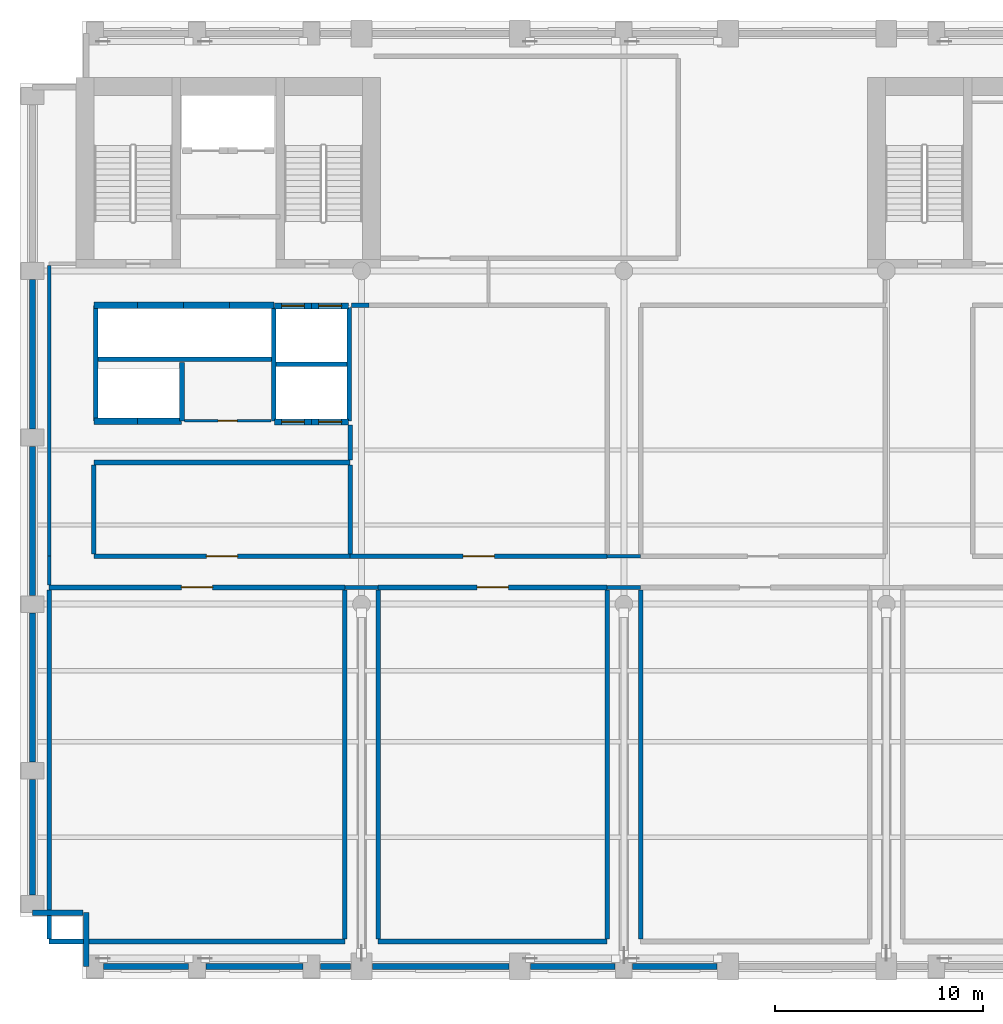
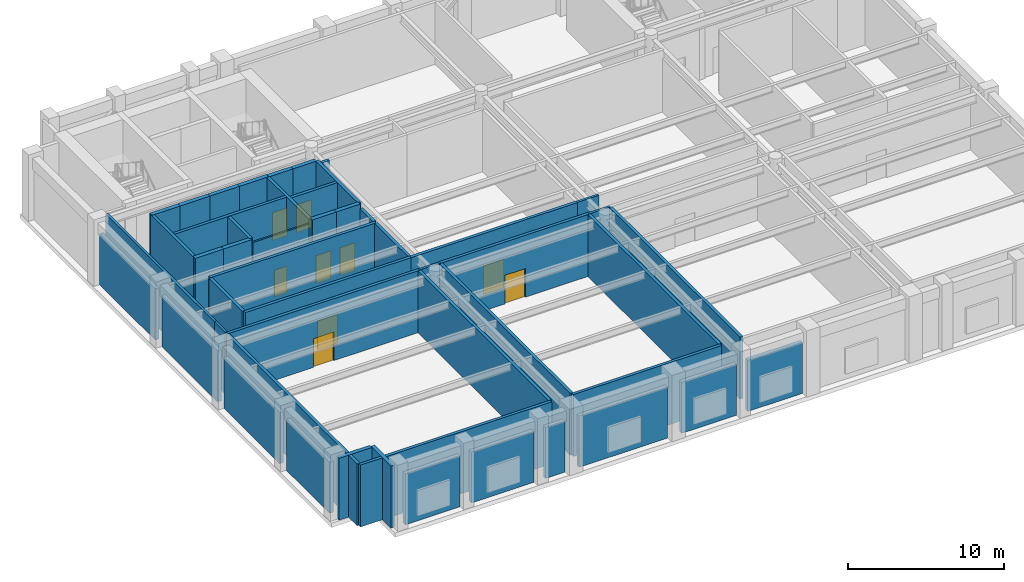
# One storey, part 5 of 11: 50 walls, 9 doors, 9 openings.
"""IFC4 building model written with IfcOpenShell, lengths in metres."""

from ifc_helpers import new_model, si_unit, direction, frame, frame_2d, origin, place, context, subcontext, project, spatial, rectangle, extrude, material, layer, layer_set, type_object, element, fill, save


model = new_model("IFC4")

# Units and contexts
model_context = context("Model", 3, precision=1e-05, world=origin(), true_north=direction((0.0, 1.0)))
body_context = subcontext(model_context, "Body", "Model", "MODEL_VIEW")
ifc_project = project(units=[si_unit("LENGTHUNIT", "METRE"), si_unit("AREAUNIT", "SQUARE_METRE"), si_unit("VOLUMEUNIT", "CUBIC_METRE"), si_unit("PLANEANGLEUNIT", "RADIAN"), si_unit("MASSUNIT", "GRAM", prefix="KILO")], contexts=[model_context])

# Site, building, storey
site_placement = place(None, origin())
site = spatial("IfcSite", under=ifc_project, at=site_placement, CompositionType="ELEMENT")
building_placement = place(site_placement, origin())
building = spatial("IfcBuilding", under=site, at=building_placement, Name="Sulina Concourse Tower", CompositionType="ELEMENT")
storey_placement = place(building_placement, frame((0.0, 0.0, 160.60009765625)))
storey = spatial("IfcBuildingStorey", under=building, at=storey_placement, Name="L39", CompositionType="ELEMENT", Elevation=160.60009765625)

# Walls
ifc_material_1 = material(Name="Concrete C50/60", Category="concrete")
ifc_layer_1 = layer(ifc_material_1, 0.219970703125)
ifc_layer_set_1 = layer_set([ifc_layer_1], Name="Concrete C50/60")
wall_type_1 = type_object("IfcWallType", Name="Core Lift Hoistway Divider Wall 220mm", PredefinedType="SOLIDWALL", material=ifc_layer_set_1)
wall_1_placement = place(storey_placement, frame((3.550048828125, 29.75, 0.0), z_axis=(0.0, 0.0, 1.0), x_axis=(1.0, 0.0, 0.0)))
element("IfcWall", 1, at=wall_1_placement, inside=storey, type_object=wall_type_1, Name="L39 shaft divider wall HW-LP3-S", PredefinedType="SOLIDWALL", context=body_context, shape_type="SweptSolid", body=[
    extrude(rectangle(XDim=8.64990234375, YDim=0.219970703125, at=frame_2d((4.324951171875, 0.0))), origin(), (0.0, 0.0, 1.0), 5.199951171875),
])
wall_2_placement = place(storey_placement, frame((3.6298828125, 26.800048828125, 0.0), z_axis=(0.0, 0.0, 1.0), x_axis=(0.0, 1.0, 0.0)))
element("IfcWall", 2, at=wall_2_placement, inside=storey, type_object=wall_type_1, Name="L39 shaft divider wall HW-LP3-W", PredefinedType="SOLIDWALL", context=body_context, shape_type="SweptSolid", body=[
    extrude(rectangle(XDim=5.550048828125, YDim=0.219970703125, at=frame_2d((2.77490234375, 0.0))), origin(), (0.0, 0.0, 1.0), 5.199951171875),
])
wall_3_placement = place(storey_placement, frame((7.780029296875, 26.800048828125, 0.0), z_axis=(0.0, 0.0, 1.0), x_axis=(0.0, 1.0, 0.0)))
element("IfcWall", 3, at=wall_3_placement, inside=storey, type_object=wall_type_1, Name="L39 shaft divider wall HW-EXP-E", PredefinedType="SOLIDWALL", context=body_context, shape_type="SweptSolid", body=[
    extrude(rectangle(XDim=2.800048828125, YDim=0.219970703125, at=frame_2d((1.39990234375, 0.0))), origin(), (0.0, 0.0, 1.0), 5.199951171875),
])
for number, where, z_axis, x_axis, name in (
    (4, (12.179931640625, 26.800048828125, 0.0), (0.0, 0.0, 1.0), (0.0, 1.0, 0.0), "L39 shaft divider wall HW-LP2-W"),
    (5, (15.820068359375, 26.800048828125, 0.0), (0.0, 0.0, 1.0), (0.0, 1.0, 0.0), "L39 shaft divider wall HW-LP2-E"),
):
    element("IfcWall", number, at=place(storey_placement, frame(where, z_axis=z_axis, x_axis=x_axis)), inside=storey, type_object=wall_type_1, Name=name, PredefinedType="SOLIDWALL", context=body_context, shape_type="SweptSolid", body=[
        extrude(rectangle(XDim=5.449951171875, YDim=0.219970703125, at=frame_2d((2.72509765625, 0.0))), origin(), (0.0, 0.0, 1.0), 5.199951171875),
    ])
wall_4_placement = place(storey_placement, frame((12.300048828125, 29.52001953125, 0.0), z_axis=(0.0, 0.0, 1.0), x_axis=(1.0, 0.0, 0.0)))
element("IfcWall", 6, at=wall_4_placement, inside=storey, type_object=wall_type_1, Name="L39 shaft divider wall HW-LP2-M", PredefinedType="SOLIDWALL", context=body_context, shape_type="SweptSolid", body=[
    extrude(rectangle(XDim=3.39990234375, YDim=0.219970703125, at=frame_2d((1.699951171875, 0.0))), origin(), (0.0, 0.0, 1.0), 5.199951171875),
])

# Wall, opening, door
ifc_material_2 = material(Name="Concrete C50/60", Category="concrete")
ifc_layer_2 = layer(ifc_material_2, 0.300048828125)
ifc_layer_set_2 = layer_set([ifc_layer_2], Name="Concrete C50/60")
wall_type_2 = type_object("IfcWallType", Name="Core Lift Hoistway Wall 300mm", PredefinedType="SOLIDWALL", material=ifc_layer_set_2)
wall_5_placement = place(storey_placement, frame((14.0, 26.75, 0.0), z_axis=(0.0, 0.0, 1.0), x_axis=(-1.0, 0.0, 0.0)))
wall_5 = element("IfcWall", 7, at=wall_5_placement, inside=storey, type_object=wall_type_2, Name="L39 hoistway enclosure wall LP-05", PredefinedType="SOLIDWALL", context=body_context, shape_type="SweptSolid", body=[
    extrude(rectangle(XDim=1.780029296875, YDim=0.300048828125, at=frame_2d((0.89013671875, 0.0))), origin(), (0.0, 0.0, 1.0), 5.199951171875),
])
opening_1_placement = place(wall_5_placement, frame((0.340087890625, 0.0, 0.0)))
opening_1 = element("IfcOpeningElement", 8, at=opening_1_placement, cuts=wall_5, Name="Opening LD-01", PredefinedType="OPENING", context=body_context, shape_type="SweptSolid", body=[
    extrude(rectangle(XDim=1.10009765625, YDim=2.199951171875, at=frame_2d((0.550048828125, 1.10009765625))), frame((0.0, 0.159912109375, 0.0), z_axis=(0.0, -1.0, 0.0), x_axis=(1.0, 0.0, 0.0)), (0.0, 0.0, 1.0), 0.320068359375),
])
ifc_material_3 = material(Name="Stainless steel lift landing door", Category="steel")
ifc_layer_3 = layer(ifc_material_3, 0.050048828125)
ifc_layer_set_3 = layer_set([ifc_layer_3], Name="Stainless steel lift landing door")
door_type_1 = type_object("IfcDoorType", Name="Passenger Lift Sliding Landing Door 1100x2200", OperationType="SLIDING_TO_LEFT", PredefinedType="DOOR", material=ifc_layer_set_3)
door_1_placement = place(opening_1_placement, origin())
door_1 = element("IfcDoor", 9, at=door_1_placement, inside=storey, type_object=door_type_1, Name="L39 lift landing sliding door LP-05", OperationType="SLIDING_TO_LEFT", OverallHeight=2.199951171875, OverallWidth=1.10009765625, PredefinedType="DOOR", context=body_context, shape_type="SweptSolid", body=[
    extrude(rectangle(XDim=1.10009765625, YDim=2.199951171875, at=frame_2d((0.550048828125, 1.10009765625))), frame((0.0, 0.02490234375, 0.0), z_axis=(0.0, -1.0, 0.0), x_axis=(1.0, 0.0, 0.0)), (0.0, 0.0, 1.0), 0.050048828125),
])
fill(opening_1, door_1)

wall_6_placement = place(storey_placement, frame((15.780029296875, 26.75, 0.0), z_axis=(0.0, 0.0, 1.0), x_axis=(-1.0, 0.0, 0.0)))
wall_6 = element("IfcWall", 10, at=wall_6_placement, inside=storey, type_object=wall_type_2, Name="L39 hoistway enclosure wall LP-06", PredefinedType="SOLIDWALL", context=body_context, shape_type="SweptSolid", body=[
    extrude(rectangle(XDim=1.780029296875, YDim=0.300048828125, at=frame_2d((0.89013671875, 0.0))), origin(), (0.0, 0.0, 1.0), 5.199951171875),
])
opening_2_placement = place(wall_6_placement, frame((0.340087890625, 0.0, 0.0)))
opening_2 = element("IfcOpeningElement", 11, at=opening_2_placement, cuts=wall_6, Name="Opening LD-01", PredefinedType="OPENING", context=body_context, shape_type="SweptSolid", body=[
    extrude(rectangle(XDim=1.10009765625, YDim=2.199951171875, at=frame_2d((0.550048828125, 1.10009765625))), frame((0.0, 0.159912109375, 0.0), z_axis=(0.0, -1.0, 0.0), x_axis=(1.0, 0.0, 0.0)), (0.0, 0.0, 1.0), 0.320068359375),
])
door_2_placement = place(opening_2_placement, origin())
door_2 = element("IfcDoor", 12, at=door_2_placement, inside=storey, type_object=door_type_1, Name="L39 lift landing sliding door LP-06", OperationType="SLIDING_TO_RIGHT", OverallHeight=2.199951171875, OverallWidth=1.10009765625, PredefinedType="DOOR", context=body_context, shape_type="SweptSolid", body=[
    extrude(rectangle(XDim=1.10009765625, YDim=2.199951171875, at=frame_2d((0.550048828125, 1.10009765625))), frame((0.0, 0.02490234375, 0.0), z_axis=(0.0, -1.0, 0.0), x_axis=(1.0, 0.0, 0.0)), (0.0, 0.0, 1.0), 0.050048828125),
])
fill(opening_2, door_2)

wall_7_placement = place(storey_placement, frame((12.219970703125, 32.320068359375, 0.0), z_axis=(0.0, 0.0, 1.0), x_axis=(1.0, 0.0, 0.0)))
wall_7 = element("IfcWall", 13, at=wall_7_placement, inside=storey, type_object=wall_type_2, Name="L39 hoistway enclosure wall LP-07", PredefinedType="SOLIDWALL", context=body_context, shape_type="SweptSolid", body=[
    extrude(rectangle(XDim=1.780029296875, YDim=0.300048828125, at=frame_2d((0.89013671875, 0.0))), origin(), (0.0, 0.0, 1.0), 5.199951171875),
])
opening_3_placement = place(wall_7_placement, frame((0.340087890625, 0.0, 0.0)))
opening_3 = element("IfcOpeningElement", 14, at=opening_3_placement, cuts=wall_7, Name="Opening LD-01", PredefinedType="OPENING", context=body_context, shape_type="SweptSolid", body=[
    extrude(rectangle(XDim=1.10009765625, YDim=2.199951171875, at=frame_2d((0.550048828125, 1.10009765625))), frame((0.0, 0.159912109375, 0.0), z_axis=(0.0, -1.0, 0.0), x_axis=(1.0, 0.0, 0.0)), (0.0, 0.0, 1.0), 0.320068359375),
])
door_3_placement = place(opening_3_placement, origin())
door_3 = element("IfcDoor", 15, at=door_3_placement, inside=storey, type_object=door_type_1, Name="L39 lift landing sliding door LP-07", OperationType="SLIDING_TO_LEFT", OverallHeight=2.199951171875, OverallWidth=1.10009765625, PredefinedType="DOOR", context=body_context, shape_type="SweptSolid", body=[
    extrude(rectangle(XDim=1.10009765625, YDim=2.199951171875, at=frame_2d((0.550048828125, 1.10009765625))), frame((0.0, 0.02490234375, 0.0), z_axis=(0.0, -1.0, 0.0), x_axis=(1.0, 0.0, 0.0)), (0.0, 0.0, 1.0), 0.050048828125),
])
fill(opening_3, door_3)

wall_8_placement = place(storey_placement, frame((14.0, 32.320068359375, 0.0), z_axis=(0.0, 0.0, 1.0), x_axis=(1.0, 0.0, 0.0)))
wall_8 = element("IfcWall", 16, at=wall_8_placement, inside=storey, type_object=wall_type_2, Name="L39 hoistway enclosure wall LP-08", PredefinedType="SOLIDWALL", context=body_context, shape_type="SweptSolid", body=[
    extrude(rectangle(XDim=1.780029296875, YDim=0.300048828125, at=frame_2d((0.89013671875, 0.0))), origin(), (0.0, 0.0, 1.0), 5.199951171875),
])
opening_4_placement = place(wall_8_placement, frame((0.340087890625, 0.0, 0.0)))
opening_4 = element("IfcOpeningElement", 17, at=opening_4_placement, cuts=wall_8, Name="Opening LD-01", PredefinedType="OPENING", context=body_context, shape_type="SweptSolid", body=[
    extrude(rectangle(XDim=1.10009765625, YDim=2.199951171875, at=frame_2d((0.550048828125, 1.10009765625))), frame((0.0, 0.159912109375, 0.0), z_axis=(0.0, -1.0, 0.0), x_axis=(1.0, 0.0, 0.0)), (0.0, 0.0, 1.0), 0.320068359375),
])
door_4_placement = place(opening_4_placement, origin())
door_4 = element("IfcDoor", 18, at=door_4_placement, inside=storey, type_object=door_type_1, Name="L39 lift landing sliding door LP-08", OperationType="SLIDING_TO_RIGHT", OverallHeight=2.199951171875, OverallWidth=1.10009765625, PredefinedType="DOOR", context=body_context, shape_type="SweptSolid", body=[
    extrude(rectangle(XDim=1.10009765625, YDim=2.199951171875, at=frame_2d((0.550048828125, 1.10009765625))), frame((0.0, 0.02490234375, 0.0), z_axis=(0.0, -1.0, 0.0), x_axis=(1.0, 0.0, 0.0)), (0.0, 0.0, 1.0), 0.050048828125),
])
fill(opening_4, door_4)

# Walls
wall_9_placement = place(storey_placement, frame((3.550048828125, 32.35009765625, 0.0), z_axis=(0.0, 0.0, 1.0), x_axis=(1.0, 0.0, 0.0)))
element("IfcWall", 19, at=wall_9_placement, inside=storey, type_object=wall_type_2, Name="L39 hoistway enclosure wall LP-09", PredefinedType="SOLIDWALL", context=body_context, shape_type="SweptSolid", body=[
    extrude(rectangle(XDim=2.099853515625, YDim=0.300048828125, at=frame_2d((1.0498046875, 0.0))), origin(), (0.0, 0.0, 1.0), 5.199951171875),
])
wall_10_placement = place(storey_placement, frame((5.64990234375, 32.35009765625, 0.0), z_axis=(0.0, 0.0, 1.0), x_axis=(1.0, 0.0, 0.0)))
element("IfcWall", 20, at=wall_10_placement, inside=storey, type_object=wall_type_2, Name="L39 hoistway enclosure wall LP-10", PredefinedType="SOLIDWALL", context=body_context, shape_type="SweptSolid", body=[
    extrude(rectangle(XDim=2.2001953125, YDim=0.300048828125, at=frame_2d((1.10009765625, 0.0))), origin(), (0.0, 0.0, 1.0), 5.199951171875),
])
wall_11_placement = place(storey_placement, frame((7.85009765625, 32.35009765625, 0.0), z_axis=(0.0, 0.0, 1.0), x_axis=(1.0, 0.0, 0.0)))
element("IfcWall", 21, at=wall_11_placement, inside=storey, type_object=wall_type_2, Name="L39 hoistway enclosure wall LP-11", PredefinedType="SOLIDWALL", context=body_context, shape_type="SweptSolid", body=[
    extrude(rectangle(XDim=2.199951171875, YDim=0.300048828125, at=frame_2d((1.10009765625, 0.0))), origin(), (0.0, 0.0, 1.0), 5.199951171875),
])
wall_12_placement = place(storey_placement, frame((10.050048828125, 32.35009765625, 0.0), z_axis=(0.0, 0.0, 1.0), x_axis=(1.0, 0.0, 0.0)))
element("IfcWall", 22, at=wall_12_placement, inside=storey, type_object=wall_type_2, Name="L39 hoistway enclosure wall LP-12", PredefinedType="SOLIDWALL", context=body_context, shape_type="SweptSolid", body=[
    extrude(rectangle(XDim=2.14990234375, YDim=0.300048828125, at=frame_2d((1.074951171875, 0.0))), origin(), (0.0, 0.0, 1.0), 5.199951171875),
])
wall_13_placement = place(storey_placement, frame((5.64990234375, 26.780029296875, 0.0), z_axis=(0.0, 0.0, 1.0), x_axis=(-1.0, 0.0, 0.0)))
element("IfcWall", 23, at=wall_13_placement, inside=storey, type_object=wall_type_2, Name="L39 hoistway enclosure wall EXP-1", PredefinedType="SOLIDWALL", context=body_context, shape_type="SweptSolid", body=[
    extrude(rectangle(XDim=2.099853515625, YDim=0.300048828125, at=frame_2d((1.0498046875, 0.0))), origin(), (0.0, 0.0, 1.0), 5.199951171875),
])
wall_14_placement = place(storey_placement, frame((7.75, 26.780029296875, 0.0), z_axis=(0.0, 0.0, 1.0), x_axis=(-1.0, 0.0, 0.0)))
element("IfcWall", 24, at=wall_14_placement, inside=storey, type_object=wall_type_2, Name="L39 hoistway enclosure wall EXP-2", PredefinedType="SOLIDWALL", context=body_context, shape_type="SweptSolid", body=[
    extrude(rectangle(XDim=2.10009765625, YDim=0.300048828125, at=frame_2d((1.050048828125, 0.0))), origin(), (0.0, 0.0, 1.0), 5.199951171875),
])
ifc_material_4 = material(Name="Gypsum board on steel stud", Category="steel")
ifc_layer_4 = layer(ifc_material_4, 0.219970703125)
ifc_layer_set_4 = layer_set([ifc_layer_4], Name="Gypsum board on steel stud")
wall_type_3 = type_object("IfcWallType", Name="Fire-Rated Lobby & Compartment Wall 220mm", PredefinedType="PARTITIONING", material=ifc_layer_set_4)
wall_15_placement = place(storey_placement, frame((1.39990234375, 1.800048828125, 0.0), z_axis=(0.0, 0.0, 1.0), x_axis=(1.0, 0.0, 0.0)))
element("IfcWall", 25, at=wall_15_placement, inside=storey, type_object=wall_type_3, Name="L39 interior partition 001", PredefinedType="PARTITIONING", context=body_context, shape_type="SweptSolid", body=[
    extrude(rectangle(XDim=14.2001953125, YDim=0.219970703125, at=frame_2d((7.10009765625, 0.0))), origin(), (0.0, 0.0, 1.0), 4.85986328125),
])
wall_16_placement = place(storey_placement, frame((17.199951171875, 1.800048828125, 0.0), z_axis=(0.0, 0.0, 1.0), x_axis=(1.0, 0.0, 0.0)))
element("IfcWall", 26, at=wall_16_placement, inside=storey, type_object=wall_type_3, Name="L39 interior partition 002", PredefinedType="PARTITIONING", context=body_context, shape_type="SweptSolid", body=[
    extrude(rectangle(XDim=11.0, YDim=0.219970703125, at=frame_2d((5.5, 0.0))), origin(), (0.0, 0.0, 1.0), 4.85986328125),
])

# Wall, opening, door
wall_17_placement = place(storey_placement, frame((1.39990234375, 18.800048828125, 0.0), z_axis=(0.0, 0.0, 1.0), x_axis=(1.0, 0.0, 0.0)))
wall_17 = element("IfcWall", 27, at=wall_17_placement, inside=storey, type_object=wall_type_3, Name="L39 interior partition 005", PredefinedType="PARTITIONING", context=body_context, shape_type="SweptSolid", body=[
    extrude(rectangle(XDim=14.2001953125, YDim=0.219970703125, at=frame_2d((7.10009765625, 0.0))), origin(), (0.0, 0.0, 1.0), 4.85986328125),
])
opening_5_placement = place(wall_17_placement, frame((6.35009765625, 0.0, 0.0)))
opening_5 = element("IfcOpeningElement", 28, at=opening_5_placement, cuts=wall_17, Name="Opening DR-80", PredefinedType="OPENING", context=body_context, shape_type="SweptSolid", body=[
    extrude(rectangle(XDim=1.5, YDim=2.25, at=frame_2d((0.75, 1.125))), frame((0.0, 0.119873046875, 0.0), z_axis=(0.0, -1.0, 0.0), x_axis=(1.0, 0.0, 0.0)), (0.0, 0.0, 1.0), 0.239990234375),
])
ifc_material_5 = material(Name="Galvanised steel acoustic fire leaf", Category="steel")
ifc_layer_5 = layer(ifc_material_5, 0.054931640625)
ifc_layer_set_5 = layer_set([ifc_layer_5], Name="Galvanised steel acoustic fire leaf")
door_type_2 = type_object("IfcDoorType", Name="Mechanical Plant Double Fire Door 1500x2250", OperationType="DOUBLE_DOOR_SINGLE_SWING", PredefinedType="DOOR", material=ifc_layer_set_5)
door_5_placement = place(opening_5_placement, origin())
door_5 = element("IfcDoor", 29, at=door_5_placement, inside=storey, type_object=door_type_2, Name="L39 interior door L39-CHILLER", OperationType="DOUBLE_DOOR_SINGLE_SWING", OverallHeight=2.25, OverallWidth=1.5, PredefinedType="DOOR", context=body_context, shape_type="SweptSolid", body=[
    extrude(rectangle(XDim=1.5, YDim=2.25, at=frame_2d((0.75, 1.125))), frame((0.0, 0.02490234375, 0.0), z_axis=(0.0, -1.0, 0.0), x_axis=(1.0, 0.0, 0.0)), (0.0, 0.0, 1.0), 0.050048828125),
])
fill(opening_5, door_5)

wall_18_placement = place(storey_placement, frame((17.199951171875, 18.800048828125, 0.0), z_axis=(0.0, 0.0, 1.0), x_axis=(1.0, 0.0, 0.0)))
wall_18 = element("IfcWall", 30, at=wall_18_placement, inside=storey, type_object=wall_type_3, Name="L39 interior partition 007", PredefinedType="PARTITIONING", context=body_context, shape_type="SweptSolid", body=[
    extrude(rectangle(XDim=11.0, YDim=0.219970703125, at=frame_2d((5.5, 0.0))), origin(), (0.0, 0.0, 1.0), 4.85986328125),
])
opening_6_placement = place(wall_18_placement, frame((4.75, 0.0, 0.0)))
opening_6 = element("IfcOpeningElement", 31, at=opening_6_placement, cuts=wall_18, Name="Opening DR-80", PredefinedType="OPENING", context=body_context, shape_type="SweptSolid", body=[
    extrude(rectangle(XDim=1.5, YDim=2.25, at=frame_2d((0.75, 1.125))), frame((0.0, 0.119873046875, 0.0), z_axis=(0.0, -1.0, 0.0), x_axis=(1.0, 0.0, 0.0)), (0.0, 0.0, 1.0), 0.239990234375),
])
door_6_placement = place(opening_6_placement, origin())
door_6 = element("IfcDoor", 32, at=door_6_placement, inside=storey, type_object=door_type_2, Name="L39 interior door L39-BLR-RM", OperationType="DOUBLE_DOOR_SINGLE_SWING", OverallHeight=2.25, OverallWidth=1.5, PredefinedType="DOOR", context=body_context, shape_type="SweptSolid", body=[
    extrude(rectangle(XDim=1.5, YDim=2.25, at=frame_2d((0.75, 1.125))), frame((0.0, 0.02490234375, 0.0), z_axis=(0.0, -1.0, 0.0), x_axis=(1.0, 0.0, 0.0)), (0.0, 0.0, 1.0), 0.050048828125),
])
fill(opening_6, door_6)

wall_19_placement = place(storey_placement, frame((3.550048828125, 20.300048828125, 0.0), z_axis=(0.0, 0.0, 1.0), x_axis=(1.0, 0.0, 0.0)))
wall_19 = element("IfcWall", 33, at=wall_19_placement, inside=storey, type_object=wall_type_3, Name="L39 interior partition 012", PredefinedType="PARTITIONING", context=body_context, shape_type="SweptSolid", body=[
    extrude(rectangle(XDim=12.300048828125, YDim=0.219970703125, at=frame_2d((6.14990234375, 0.0))), origin(), (0.0, 0.0, 1.0), 4.85986328125),
])
opening_7_placement = place(wall_19_placement, frame((5.39990234375, 0.0, 0.0)))
opening_7 = element("IfcOpeningElement", 34, at=opening_7_placement, cuts=wall_19, Name="Opening DR-80", PredefinedType="OPENING", context=body_context, shape_type="SweptSolid", body=[
    extrude(rectangle(XDim=1.5, YDim=2.25, at=frame_2d((0.75, 1.125))), frame((0.0, 0.119873046875, 0.0), z_axis=(0.0, -1.0, 0.0), x_axis=(1.0, 0.0, 0.0)), (0.0, 0.0, 1.0), 0.239990234375),
])
door_7_placement = place(opening_7_placement, origin())
door_7 = element("IfcDoor", 35, at=door_7_placement, inside=storey, type_object=door_type_2, Name="L39 interior door L39-PL-W1", OperationType="DOUBLE_DOOR_SINGLE_SWING", OverallHeight=2.25, OverallWidth=1.5, PredefinedType="DOOR", context=body_context, shape_type="SweptSolid", body=[
    extrude(rectangle(XDim=1.5, YDim=2.25, at=frame_2d((0.75, 1.125))), frame((0.0, 0.02490234375, 0.0), z_axis=(0.0, -1.0, 0.0), x_axis=(1.0, 0.0, 0.0)), (0.0, 0.0, 1.0), 0.050048828125),
])
fill(opening_7, door_7)

wall_20_placement = place(storey_placement, frame((15.85009765625, 20.300048828125, 0.0), z_axis=(0.0, 0.0, 1.0), x_axis=(1.0, 0.0, 0.0)))
wall_20 = element("IfcWall", 36, at=wall_20_placement, inside=storey, type_object=wall_type_3, Name="L39 interior partition 013", PredefinedType="PARTITIONING", context=body_context, shape_type="SweptSolid", body=[
    extrude(rectangle(XDim=12.349853515625, YDim=0.219970703125, at=frame_2d((6.1748046875, 0.0))), origin(), (0.0, 0.0, 1.0), 4.85986328125),
])
opening_8_placement = place(wall_20_placement, frame((5.425048828125, 0.0, 0.0)))
opening_8 = element("IfcOpeningElement", 37, at=opening_8_placement, cuts=wall_20, Name="Opening DR-80", PredefinedType="OPENING", context=body_context, shape_type="SweptSolid", body=[
    extrude(rectangle(XDim=1.5, YDim=2.25, at=frame_2d((0.75, 1.125))), frame((0.0, 0.119873046875, 0.0), z_axis=(0.0, -1.0, 0.0), x_axis=(1.0, 0.0, 0.0)), (0.0, 0.0, 1.0), 0.239990234375),
])
door_8_placement = place(opening_8_placement, origin())
door_8 = element("IfcDoor", 38, at=door_8_placement, inside=storey, type_object=door_type_2, Name="L39 interior door L39-SWG-RM1", OperationType="DOUBLE_DOOR_SINGLE_SWING", OverallHeight=2.25, OverallWidth=1.5, PredefinedType="DOOR", context=body_context, shape_type="SweptSolid", body=[
    extrude(rectangle(XDim=1.5, YDim=2.25, at=frame_2d((0.75, 1.125))), frame((0.0, 0.02490234375, 0.0), z_axis=(0.0, -1.0, 0.0), x_axis=(1.0, 0.0, 0.0)), (0.0, 0.0, 1.0), 0.050048828125),
])
fill(opening_8, door_8)

# Walls
wall_21_placement = place(storey_placement, frame((3.550048828125, 24.800048828125, 0.0), z_axis=(0.0, 0.0, 1.0), x_axis=(1.0, 0.0, 0.0)))
element("IfcWall", 39, at=wall_21_placement, inside=storey, type_object=wall_type_3, Name="L39 interior partition 018", PredefinedType="PARTITIONING", context=body_context, shape_type="SweptSolid", body=[
    extrude(rectangle(XDim=12.300048828125, YDim=0.219970703125, at=frame_2d((6.14990234375, 0.0))), origin(), (0.0, 0.0, 1.0), 4.85986328125),
])
wall_22_placement = place(storey_placement, frame((15.929931640625, 32.35009765625, 0.0), z_axis=(0.0, 0.0, 1.0), x_axis=(1.0, 0.0, 0.0)))
element("IfcWall", 40, at=wall_22_placement, inside=storey, type_object=wall_type_3, Name="L39 interior partition 020", PredefinedType="PARTITIONING", context=body_context, shape_type="SweptSolid", body=[
    extrude(rectangle(XDim=0.820068359375, YDim=0.219970703125, at=frame_2d((0.41015625, 0.0))), origin(), (0.0, 0.0, 1.0), 4.85986328125),
])
wall_23_placement = place(storey_placement, frame((1.39990234375, 1.909912109375, 0.0), z_axis=(0.0, 0.0, 1.0), x_axis=(0.0, 1.0, 0.0)))
element("IfcWall", 41, at=wall_23_placement, inside=storey, type_object=wall_type_3, Name="L39 interior partition 033", PredefinedType="PARTITIONING", context=body_context, shape_type="SweptSolid", body=[
    extrude(rectangle(XDim=16.780029296875, YDim=0.219970703125, at=frame_2d((8.39013671875, 0.0))), origin(), (0.0, 0.0, 1.0), 4.85986328125),
])
wall_24_placement = place(storey_placement, frame((3.550048828125, 20.409912109375, 0.0), z_axis=(0.0, 0.0, 1.0), x_axis=(0.0, 1.0, 0.0)))
element("IfcWall", 42, at=wall_24_placement, inside=storey, type_object=wall_type_3, Name="L39 interior partition 036", PredefinedType="PARTITIONING", context=body_context, shape_type="SweptSolid", body=[
    extrude(rectangle(XDim=4.280029296875, YDim=0.219970703125, at=frame_2d((2.14013671875, 0.0))), origin(), (0.0, 0.0, 1.0), 4.85986328125),
])
wall_25_placement = place(storey_placement, frame((15.60009765625, 1.909912109375, 0.0), z_axis=(0.0, 0.0, 1.0), x_axis=(0.0, 1.0, 0.0)))
element("IfcWall", 43, at=wall_25_placement, inside=storey, type_object=wall_type_3, Name="L39 interior partition 037", PredefinedType="PARTITIONING", context=body_context, shape_type="SweptSolid", body=[
    extrude(rectangle(XDim=16.780029296875, YDim=0.219970703125, at=frame_2d((8.39013671875, 0.0))), origin(), (0.0, 0.0, 1.0), 4.85986328125),
])
wall_26_placement = place(storey_placement, frame((15.85009765625, 20.409912109375, 0.0), z_axis=(0.0, 0.0, 1.0), x_axis=(0.0, 1.0, 0.0)))
element("IfcWall", 44, at=wall_26_placement, inside=storey, type_object=wall_type_3, Name="L39 interior partition 038", PredefinedType="PARTITIONING", context=body_context, shape_type="SweptSolid", body=[
    extrude(rectangle(XDim=4.280029296875, YDim=0.219970703125, at=frame_2d((2.14013671875, 0.0))), origin(), (0.0, 0.0, 1.0), 4.85986328125),
])
wall_27_placement = place(storey_placement, frame((15.85009765625, 24.909912109375, 0.0), z_axis=(0.0, 0.0, 1.0), x_axis=(0.0, 1.0, 0.0)))
element("IfcWall", 45, at=wall_27_placement, inside=storey, type_object=wall_type_3, Name="L39 interior partition 039", PredefinedType="PARTITIONING", context=body_context, shape_type="SweptSolid", body=[
    extrude(rectangle(XDim=1.690185546875, YDim=0.219970703125, at=frame_2d((0.84521484375, 0.0))), origin(), (0.0, 0.0, 1.0), 4.85986328125),
])
for number, where, z_axis, x_axis, name in (
    (46, (17.199951171875, 1.909912109375, 0.0), (0.0, 0.0, 1.0), (0.0, 1.0, 0.0), "L39 interior partition 040"),
    (47, (28.199951171875, 1.909912109375, 0.0), (0.0, 0.0, 1.0), (0.0, 1.0, 0.0), "L39 interior partition 042"),
    (48, (29.800048828125, 1.909912109375, 0.0), (0.0, 0.0, 1.0), (0.0, 1.0, 0.0), "L39 interior partition 044"),
):
    element("IfcWall", number, at=place(storey_placement, frame(where, z_axis=z_axis, x_axis=x_axis)), inside=storey, type_object=wall_type_3, Name=name, PredefinedType="PARTITIONING", context=body_context, shape_type="SweptSolid", body=[
        extrude(rectangle(XDim=16.780029296875, YDim=0.219970703125, at=frame_2d((8.39013671875, 0.0))), origin(), (0.0, 0.0, 1.0), 4.85986328125),
    ])
ifc_material_6 = material(Name="Gypsum board on steel stud", Category="steel")
ifc_layer_6 = layer(ifc_material_6, 0.179931640625)
ifc_layer_set_6 = layer_set([ifc_layer_6], Name="Gypsum board on steel stud")
wall_type_4 = type_object("IfcWallType", Name="Protected Corridor & Riser Partition 180mm", PredefinedType="PARTITIONING", material=ifc_layer_set_6)
wall_28_placement = place(storey_placement, frame((15.60009765625, 18.800048828125, 0.0), z_axis=(0.0, 0.0, 1.0), x_axis=(1.0, 0.0, 0.0)))
element("IfcWall", 49, at=wall_28_placement, inside=storey, type_object=wall_type_4, Name="L39 interior partition 006", PredefinedType="PARTITIONING", context=body_context, shape_type="SweptSolid", body=[
    extrude(rectangle(XDim=1.599853515625, YDim=0.179931640625, at=frame_2d((0.7998046875, 0.0))), origin(), (0.0, 0.0, 1.0), 4.85986328125),
])
for number, where, z_axis, x_axis, name in (
    (50, (28.199951171875, 18.800048828125, 0.0), (0.0, 0.0, 1.0), (1.0, 0.0, 0.0), "L39 interior partition 008"),
    (51, (28.199951171875, 20.300048828125, 0.0), (0.0, 0.0, 1.0), (1.0, 0.0, 0.0), "L39 interior partition 014"),
):
    element("IfcWall", number, at=place(storey_placement, frame(where, z_axis=z_axis, x_axis=x_axis)), inside=storey, type_object=wall_type_4, Name=name, PredefinedType="PARTITIONING", context=body_context, shape_type="SweptSolid", body=[
        extrude(rectangle(XDim=1.60009765625, YDim=0.179931640625, at=frame_2d((0.800048828125, 0.0))), origin(), (0.0, 0.0, 1.0), 4.85986328125),
    ])
wall_29_placement = place(storey_placement, frame((1.39990234375, 18.909912109375, 0.0), z_axis=(0.0, 0.0, 1.0), x_axis=(0.0, 1.0, 0.0)))
element("IfcWall", 52, at=wall_29_placement, inside=storey, type_object=wall_type_4, Name="L39 interior partition 034", PredefinedType="PARTITIONING", context=body_context, shape_type="SweptSolid", body=[
    extrude(rectangle(XDim=1.39013671875, YDim=0.179931640625, at=frame_2d((0.695068359375, 0.0))), origin(), (0.0, 0.0, 1.0), 4.85986328125),
])
wall_30_placement = place(storey_placement, frame((1.39990234375, 20.300048828125, 0.0), z_axis=(0.0, 0.0, 1.0), x_axis=(0.0, 1.0, 0.0)))
element("IfcWall", 53, at=wall_30_placement, inside=storey, type_object=wall_type_4, Name="L39 interior partition 035", PredefinedType="PARTITIONING", context=body_context, shape_type="SweptSolid", body=[
    extrude(rectangle(XDim=13.9599609375, YDim=0.179931640625, at=frame_2d((6.97998046875, 0.0))), origin(), (0.0, 0.0, 1.0), 4.85986328125),
])
ifc_material_7 = material(Name="Precast concrete C50/60", Category="concrete")
ifc_layer_7 = layer(ifc_material_7, 0.280029296875)
ifc_layer_set_7 = layer_set([ifc_layer_7], Name="Precast concrete C50/60")
wall_type_5 = type_object("IfcWallType", Name="Typical Precast Masonry-Frame Facade Wall 280mm", PredefinedType="SOLIDWALL", material=ifc_layer_set_7)
wall_31_placement = place(storey_placement, frame((8.080078125, 0.60009765625, 0.0), z_axis=(0.0, 0.0, 1.0), x_axis=(-1.0, 0.0, 0.0)))
element("IfcWall", 54, at=wall_31_placement, inside=storey, type_object=wall_type_5, Name="L39 exterior precast wall S1", PredefinedType="SOLIDWALL", context=body_context, shape_type="SweptSolid", body=[
    extrude(rectangle(XDim=4.06005859375, YDim=0.280029296875, at=frame_2d((2.030029296875, 0.0))), origin(), (0.0, 0.0, 1.0), 4.010009765625),
])
wall_32_placement = place(storey_placement, frame((13.580078125, 0.60009765625, 0.0), z_axis=(0.0, 0.0, 1.0), x_axis=(-1.0, 0.0, 0.0)))
element("IfcWall", 55, at=wall_32_placement, inside=storey, type_object=wall_type_5, Name="L39 exterior precast wall S2", PredefinedType="SOLIDWALL", context=body_context, shape_type="SweptSolid", body=[
    extrude(rectangle(XDim=4.66015625, YDim=0.280029296875, at=frame_2d((2.330078125, 0.0))), origin(), (0.0, 0.0, 1.0), 4.010009765625),
])
wall_33_placement = place(storey_placement, frame((15.8798828125, 0.60009765625, 0.0), z_axis=(0.0, 0.0, 1.0), x_axis=(-1.0, 0.0, 0.0)))
element("IfcWall", 56, at=wall_33_placement, inside=storey, type_object=wall_type_5, Name="L39 exterior precast wall S3", PredefinedType="SOLIDWALL", context=body_context, shape_type="SweptSolid", body=[
    extrude(rectangle(XDim=1.4599609375, YDim=0.280029296875, at=frame_2d((0.72998046875, 0.0))), origin(), (0.0, 0.0, 1.0), 4.010009765625),
])
wall_34_placement = place(storey_placement, frame((23.47998046875, 0.60009765625, 0.0), z_axis=(0.0, 0.0, 1.0), x_axis=(-1.0, 0.0, 0.0)))
element("IfcWall", 57, at=wall_34_placement, inside=storey, type_object=wall_type_5, Name="L39 exterior precast wall S4", PredefinedType="SOLIDWALL", context=body_context, shape_type="SweptSolid", body=[
    extrude(rectangle(XDim=6.56005859375, YDim=0.280029296875, at=frame_2d((3.280029296875, 0.0))), origin(), (0.0, 0.0, 1.0), 4.010009765625),
])
for number, where, z_axis, x_axis, name in (
    (58, (28.580078125, 0.60009765625, 0.0), (0.0, 0.0, 1.0), (-1.0, 0.0, 0.0), "L39 exterior precast wall S5"),
    (59, (33.47998046875, 0.60009765625, 0.0), (0.0, 0.0, 1.0), (-1.0, 0.0, 0.0), "L39 exterior precast wall S6"),
):
    element("IfcWall", number, at=place(storey_placement, frame(where, z_axis=z_axis, x_axis=x_axis)), inside=storey, type_object=wall_type_5, Name=name, PredefinedType="SOLIDWALL", context=body_context, shape_type="SweptSolid", body=[
        extrude(rectangle(XDim=4.06005859375, YDim=0.280029296875, at=frame_2d((2.030029296875, 0.0))), origin(), (0.0, 0.0, 1.0), 4.010009765625),
    ])
wall_35_placement = place(storey_placement, frame((0.60009765625, 4.02001953125, 0.0), z_axis=(0.0, 0.0, 1.0), x_axis=(0.0, 1.0, 0.0)))
element("IfcWall", 60, at=wall_35_placement, inside=storey, type_object=wall_type_5, Name="L39 exterior precast wall W1", PredefinedType="SOLIDWALL", context=body_context, shape_type="SweptSolid", body=[
    extrude(rectangle(XDim=5.56005859375, YDim=0.280029296875, at=frame_2d((2.780029296875, 0.0))), origin(), (0.0, 0.0, 1.0), 4.010009765625),
])
for number, where, z_axis, x_axis, name in (
    (61, (0.60009765625, 10.419921875, 0.0), (0.0, 0.0, 1.0), (0.0, 1.0, 0.0), "L39 exterior precast wall W2"),
    (62, (0.60009765625, 18.419921875, 0.0), (0.0, 0.0, 1.0), (0.0, 1.0, 0.0), "L39 exterior precast wall W3"),
    (63, (0.60009765625, 26.419921875, 0.0), (0.0, 0.0, 1.0), (0.0, 1.0, 0.0), "L39 exterior precast wall W4"),
):
    element("IfcWall", number, at=place(storey_placement, frame(where, z_axis=z_axis, x_axis=x_axis)), inside=storey, type_object=wall_type_5, Name=name, PredefinedType="SOLIDWALL", context=body_context, shape_type="SweptSolid", body=[
        extrude(rectangle(XDim=7.16015625, YDim=0.280029296875, at=frame_2d((3.580078125, 0.0))), origin(), (0.0, 0.0, 1.0), 4.010009765625),
    ])
wall_36_placement = place(storey_placement, frame((3.179931640625, 0.60009765625, 0.0), z_axis=(0.0, 0.0, 1.0), x_axis=(0.0, 1.0, 0.0)))
element("IfcWall", 64, at=wall_36_placement, inside=storey, type_object=wall_type_5, Name="L39 exterior precast wall CSW1", PredefinedType="SOLIDWALL", context=body_context, shape_type="SweptSolid", body=[
    extrude(rectangle(XDim=2.579833984375, YDim=0.280029296875, at=frame_2d((1.2900390625, 0.0))), origin(), (0.0, 0.0, 1.0), 4.85986328125),
])
wall_37_placement = place(storey_placement, frame((3.034912109375, 3.179931640625, 0.0), z_axis=(0.0, 0.0, 1.0), x_axis=(-1.0, 0.0, 0.0)))
element("IfcWall", 65, at=wall_37_placement, inside=storey, type_object=wall_type_5, Name="L39 exterior precast wall CSW2", PredefinedType="SOLIDWALL", context=body_context, shape_type="SweptSolid", body=[
    extrude(rectangle(XDim=2.434814453125, YDim=0.280029296875, at=frame_2d((1.21728515625, 0.0))), origin(), (0.0, 0.0, 1.0), 4.85986328125),
])

# Wall, opening, door
ifc_material_8 = material(Name="Gypsum board on steel stud", Category="steel")
ifc_layer_8 = layer(ifc_material_8, 0.125)
ifc_layer_set_8 = layer_set([ifc_layer_8], Name="Gypsum board on steel stud")
wall_type_6 = type_object("IfcWallType", Name="Wet-Area Moisture-Resistant Partition 125mm", PredefinedType="PARTITIONING", material=ifc_layer_set_8)
wall_38_placement = place(storey_placement, frame((7.889892578125, 26.800048828125, 0.0), z_axis=(0.0, 0.0, 1.0), x_axis=(1.0, 0.0, 0.0)))
wall_38 = element("IfcWall", 66, at=wall_38_placement, inside=storey, type_object=wall_type_6, Name="L39 interior partition 019", PredefinedType="PARTITIONING", context=body_context, shape_type="SweptSolid", body=[
    extrude(rectangle(XDim=4.16015625, YDim=0.125, at=frame_2d((2.080078125, 0.0))), origin(), (0.0, 0.0, 1.0), 4.85986328125),
])
opening_9_placement = place(wall_38_placement, frame((1.6201171875, 0.0, 0.0)))
opening_9 = element("IfcOpeningElement", 67, at=opening_9_placement, cuts=wall_38, Name="Opening DR-61", PredefinedType="OPENING", context=body_context, shape_type="SweptSolid", body=[
    extrude(rectangle(XDim=0.919921875, YDim=2.10009765625, at=frame_2d((0.4599609375, 1.050048828125))), frame((0.0, 0.072509765625, 0.0), z_axis=(0.0, -1.0, 0.0), x_axis=(1.0, 0.0, 0.0)), (0.0, 0.0, 1.0), 0.14501953125),
])
ifc_material_9 = material(Name="Oak-veneered fire door leaf")
ifc_layer_9 = layer(ifc_material_9, 0.050048828125)
ifc_layer_set_9 = layer_set([ifc_layer_9], Name="Oak-veneered fire door leaf")
door_type_3 = type_object("IfcDoorType", Name="Accessible WC Door 920x2100", OperationType="NOTDEFINED", PredefinedType="DOOR", material=ifc_layer_set_9)
door_9_placement = place(opening_9_placement, origin())
door_9 = element("IfcDoor", 68, at=door_9_placement, inside=storey, type_object=door_type_3, Name="L39 interior door L39-WC-ACC", OperationType="SINGLE_SWING_RIGHT", OverallHeight=2.10009765625, OverallWidth=0.919921875, PredefinedType="DOOR", context=body_context, shape_type="SweptSolid", body=[
    extrude(rectangle(XDim=0.919921875, YDim=2.10009765625, at=frame_2d((0.4599609375, 1.050048828125))), frame((0.0, 0.02490234375, 0.0), z_axis=(0.0, -1.0, 0.0), x_axis=(1.0, 0.0, 0.0)), (0.0, 0.0, 1.0), 0.050048828125),
])
fill(opening_9, door_9)

save(model, "model.ifc")
